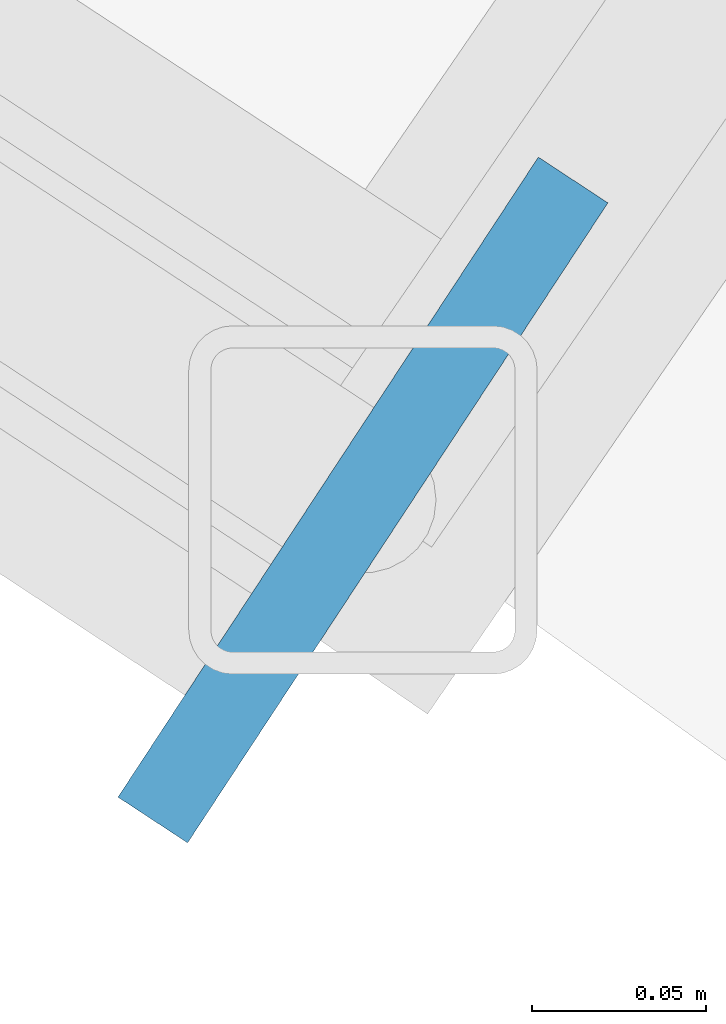
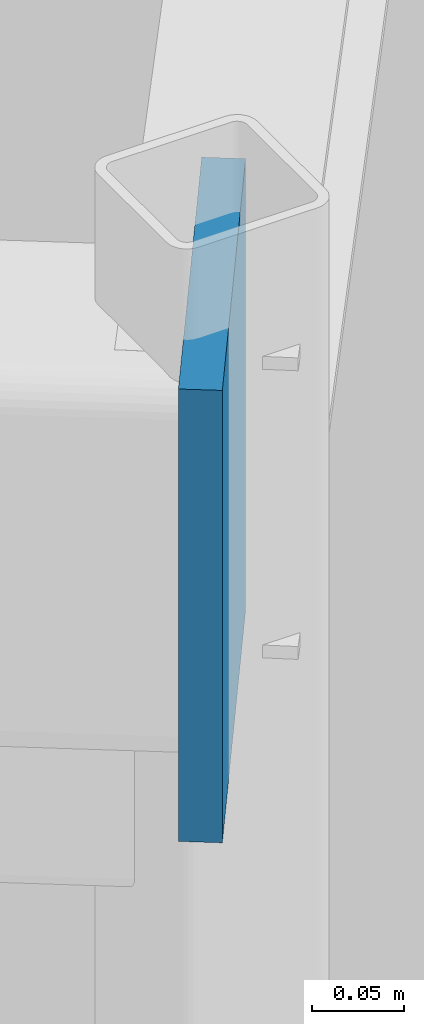
# One storey, part 73 of 123: 1 plate.
"""IFC4 building model written with IfcOpenShell, lengths in metres."""

from ifc_helpers import new_model, si_unit, direction, frame, origin, origin_2d, place, context, subcontext, project, spatial, rectangle, extrude, material, layer, layer_set, type_object, element, save


model = new_model("IFC4")

# Units and contexts
model_context = context("Model", 3, precision=1e-05, world=origin(), true_north=direction((0.0, 1.0)))
body_context = subcontext(model_context, "Body", "Model", "MODEL_VIEW")
ifc_project = project(units=[si_unit("LENGTHUNIT", "METRE"), si_unit("AREAUNIT", "SQUARE_METRE"), si_unit("VOLUMEUNIT", "CUBIC_METRE"), si_unit("PLANEANGLEUNIT", "RADIAN"), si_unit("MASSUNIT", "GRAM", prefix="KILO"), si_unit("POWERUNIT", "WATT"), si_unit("THERMODYNAMICTEMPERATUREUNIT", "KELVIN")], contexts=[model_context])

# Site, building, storey
site_placement = place(None, origin())
site = spatial("IfcSite", under=ifc_project, at=site_placement, CompositionType="ELEMENT")
building_placement = place(site_placement, origin())
building = spatial("IfcBuilding", under=site, at=building_placement, Name="Ruvembo Vaulted Housing Court", CompositionType="ELEMENT")
storey_placement = place(building_placement, frame((0.0, 0.0, 7.699951171875)))
storey = spatial("IfcBuildingStorey", under=building, at=storey_placement, Name="L02", CompositionType="ELEMENT", Elevation=7.699951171875)

# Plate
ifc_material = material(Name="Steel S355J2", Category="steel")
ifc_layer = layer(ifc_material, 0.01611328125, Name="Steel S355J2")
ifc_layer_set = layer_set([ifc_layer], Name="Steel S355J2")
plate_type = type_object("IfcPlateType", Name="PL-NODE-GUSSET-16", PredefinedType="USERDEFINED", material=ifc_layer_set)
plate_placement = place(storey_placement, frame((142.9326171875, 87.751220703125, 2.6650390625), z_axis=(0.0, 0.0, 1.0), x_axis=(0.835845688355, -0.548964466299, 0.0)))
element("IfcPlate", 1, at=plate_placement, inside=storey, type_object=plate_type, Name="Scoop SC3 L02 Hollow Spandrel End Cap Plate 28", ObjectType="GUSSET_PLATE", PredefinedType="USERDEFINED", context=body_context, shape_type="SweptSolid", body=[
    extrude(rectangle(XDim=0.02392578125, YDim=0.219970703125, at=origin_2d()), origin(), (0.0, 0.0, 1.0), 0.300048828125),
])

save(model, "model.ifc")
